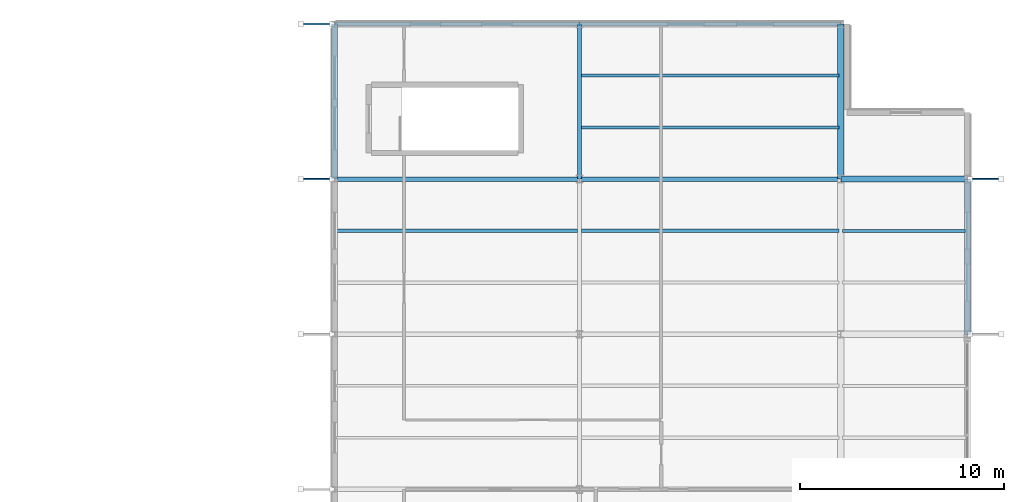
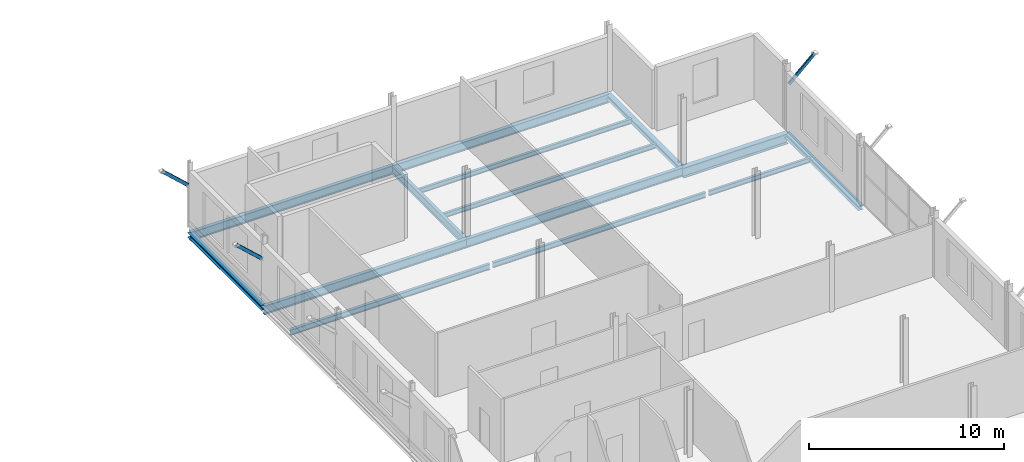
# One storey, part 16 of 25: 14 beams, 3 members.
"""IFC4 building model written with IfcOpenShell, lengths in metres."""

from ifc_helpers import new_model, si_unit, direction, frame, origin, origin_2d, place, context, subcontext, project, spatial, hollow_rectangle, i_section, extrude, material, material_profile, profile_set, type_object, element, save


model = new_model("IFC4")

# Units and contexts
model_context = context("Model", 3, precision=1e-05, world=origin(), true_north=direction((0.0, 1.0)))
body_context = subcontext(model_context, "Body", "Model", "MODEL_VIEW")
ifc_project = project(units=[si_unit("LENGTHUNIT", "METRE"), si_unit("AREAUNIT", "SQUARE_METRE"), si_unit("VOLUMEUNIT", "CUBIC_METRE"), si_unit("PLANEANGLEUNIT", "RADIAN"), si_unit("MASSUNIT", "GRAM", prefix="KILO")], contexts=[model_context])

# Site, building, storey
site_placement = place(None, origin())
site = spatial("IfcSite", under=ifc_project, at=site_placement, CompositionType="ELEMENT")
building_placement = place(site_placement, origin())
building = spatial("IfcBuilding", under=site, at=building_placement, Name="Vekula Escarpment Museum", CompositionType="ELEMENT")
storey_placement = place(building_placement, frame((0.0, 0.0, 26.39990234375)))
storey = spatial("IfcBuildingStorey", under=building, at=storey_placement, Name="L06", CompositionType="ELEMENT", Elevation=26.39990234375)

# Beams
ifc_material_1 = material(Name="Steel S355", Category="steel")
ifc_material_profile_1 = material_profile(ifc_material_1, i_section(OverallWidth=0.300048828125, OverallDepth=0.64990234375, WebThickness=0.01611328125, FlangeThickness=0.031005859375, FilletRadius=0.027099609375, at=origin_2d()), Name="HEB 650")
ifc_profile_set_1 = profile_set([ifc_material_profile_1], Name="Steel S355")
beam_type_1 = type_object("IfcBeamType", Name="BM-GIRD-HEB650", PredefinedType="BEAM", material=ifc_profile_set_1)
beam_1_placement = place(storey_placement, frame((191.800048828125, 113.199951171875, -0.544921875), z_axis=(1.0, 0.0, 0.0), x_axis=(0.0, 1.0, 0.0)))
element("IfcBeam", 1, at=beam_1_placement, inside=storey, type_object=beam_type_1, Name="Beam X L06 2241", PredefinedType="BEAM", context=body_context, shape_type="SweptSolid", body=[
    extrude(i_section(OverallWidth=0.300048828125, OverallDepth=0.64990234375, WebThickness=0.01611328125, FlangeThickness=0.031005859375, FilletRadius=0.027099609375, at=origin_2d()), origin(), (0.0, 0.0, 1.0), 6.199951171875),
])
ifc_material_2 = material(Name="Steel S355", Category="steel")
ifc_material_profile_2 = material_profile(ifc_material_2, i_section(OverallWidth=0.199951171875, OverallDepth=0.5, WebThickness=0.01025390625, FlangeThickness=0.01611328125, FilletRadius=0.02099609375, at=origin_2d()), Name="IPE 500")
ifc_profile_set_2 = profile_set([ifc_material_profile_2], Name="Steel S355")
beam_type_2 = type_object("IfcBeamType", Name="BM-GIRD-IPE500", PredefinedType="BEAM", material=ifc_profile_set_2)
beam_2_placement = place(storey_placement, frame((179.0, 113.199951171875, -0.469970703125), z_axis=(0.0, 1.0, 0.0), x_axis=(-1.0, 0.0, 0.0)))
element("IfcBeam", 2, at=beam_2_placement, inside=storey, type_object=beam_type_2, Name="Beam Y L06 2284", PredefinedType="BEAM", context=body_context, shape_type="SweptSolid", body=[
    extrude(i_section(OverallWidth=0.199951171875, OverallDepth=0.5, WebThickness=0.01025390625, FlangeThickness=0.01611328125, FilletRadius=0.02099609375, at=origin_2d()), origin(), (0.0, 0.0, 1.0), 7.60009765625),
])
ifc_material_3 = material(Name="Steel S355", Category="steel")
ifc_material_profile_3 = material_profile(ifc_material_3, i_section(OverallWidth=0.2099609375, OverallDepth=0.550048828125, WebThickness=0.010986328125, FlangeThickness=0.01708984375, FilletRadius=0.02392578125, at=origin_2d()), Name="IPE 550")
ifc_profile_set_3 = profile_set([ifc_material_profile_3], Name="Steel S355")
beam_type_3 = type_object("IfcBeamType", Name="BM-GIRD-IPE550", PredefinedType="BEAM", material=ifc_profile_set_3)
beam_3_placement = place(storey_placement, frame((167.0, 113.199951171875, -0.494873046875), z_axis=(1.0, 0.0, 0.0), x_axis=(0.0, 1.0, 0.0)))
element("IfcBeam", 3, at=beam_3_placement, inside=storey, type_object=beam_type_3, Name="Beam X L06 2239", PredefinedType="BEAM", context=body_context, shape_type="SweptSolid", body=[
    extrude(i_section(OverallWidth=0.2099609375, OverallDepth=0.550048828125, WebThickness=0.010986328125, FlangeThickness=0.01708984375, FilletRadius=0.02392578125, at=origin_2d()), origin(), (0.0, 0.0, 1.0), 12.0),
])
beam_4_placement = place(storey_placement, frame((179.0, 113.199951171875, -0.494873046875), z_axis=(1.0, 0.0, 0.0), x_axis=(0.0, 1.0, 0.0)))
element("IfcBeam", 4, at=beam_4_placement, inside=storey, type_object=beam_type_3, Name="Beam X L06 2240", PredefinedType="BEAM", context=body_context, shape_type="SweptSolid", body=[
    extrude(i_section(OverallWidth=0.2099609375, OverallDepth=0.550048828125, WebThickness=0.010986328125, FlangeThickness=0.01708984375, FilletRadius=0.02392578125, at=origin_2d()), origin(), (0.0, 0.0, 1.0), 12.800048828125),
])
beam_5_placement = place(storey_placement, frame((167.0, 120.800048828125, -0.494873046875), z_axis=(1.0, 0.0, 0.0), x_axis=(0.0, 1.0, 0.0)))
element("IfcBeam", 5, at=beam_5_placement, inside=storey, type_object=beam_type_3, Name="Beam X L06 2242", PredefinedType="BEAM", context=body_context, shape_type="SweptSolid", body=[
    extrude(i_section(OverallWidth=0.2099609375, OverallDepth=0.550048828125, WebThickness=0.010986328125, FlangeThickness=0.01708984375, FilletRadius=0.02392578125, at=origin_2d()), origin(), (0.0, 0.0, 1.0), 12.0),
])
beam_6_placement = place(storey_placement, frame((179.0, 120.800048828125, -0.494873046875), z_axis=(1.0, 0.0, 0.0), x_axis=(0.0, 1.0, 0.0)))
element("IfcBeam", 6, at=beam_6_placement, inside=storey, type_object=beam_type_3, Name="Beam X L06 2243", PredefinedType="BEAM", context=body_context, shape_type="SweptSolid", body=[
    extrude(i_section(OverallWidth=0.2099609375, OverallDepth=0.550048828125, WebThickness=0.010986328125, FlangeThickness=0.01708984375, FilletRadius=0.02392578125, at=origin_2d()), origin(), (0.0, 0.0, 1.0), 12.800048828125),
])
ifc_material_4 = material(Name="Steel S355", Category="steel")
ifc_material_profile_4 = material_profile(ifc_material_4, i_section(OverallWidth=0.14990234375, OverallDepth=0.300048828125, WebThickness=0.007080078125, FlangeThickness=0.0107421875, FilletRadius=0.014892578125, at=origin_2d()), Name="IPE 300")
ifc_profile_set_4 = profile_set([ifc_material_profile_4], Name="Steel S355")
beam_type_4 = type_object("IfcBeamType", Name="BM-JST-IPE300", PredefinedType="JOIST", material=ifc_profile_set_4)
for number, where, z_axis, x_axis, name in (
    (7, (179.090087890625, 115.7333984375, -0.369873046875), (1.0, 0.0, 0.0), (0.0, 1.0, 0.0), "Secondary Joist L06 1476"),
    (8, (179.090087890625, 118.2666015625, -0.369873046875), (1.0, 0.0, 0.0), (0.0, 1.0, 0.0), "Secondary Joist L06 1477"),
):
    element("IfcBeam", number, at=place(storey_placement, frame(where, z_axis=z_axis, x_axis=x_axis)), inside=storey, type_object=beam_type_4, Name=name, PredefinedType="JOIST", context=body_context, shape_type="SweptSolid", body=[
        extrude(i_section(OverallWidth=0.14990234375, OverallDepth=0.300048828125, WebThickness=0.007080078125, FlangeThickness=0.0107421875, FilletRadius=0.014892578125, at=origin_2d()), origin(), (0.0, 0.0, 1.0), 12.619873046875),
    ])
beam_7_placement = place(storey_placement, frame((191.889892578125, 110.666748046875, -0.369873046875), z_axis=(1.0, 0.0, 0.0), x_axis=(0.0, 1.0, 0.0)))
element("IfcBeam", 9, at=beam_7_placement, inside=storey, type_object=beam_type_4, Name="Secondary Joist L06 1489", PredefinedType="JOIST", context=body_context, shape_type="SweptSolid", body=[
    extrude(i_section(OverallWidth=0.14990234375, OverallDepth=0.300048828125, WebThickness=0.007080078125, FlangeThickness=0.0107421875, FilletRadius=0.014892578125, at=origin_2d()), origin(), (0.0, 0.0, 1.0), 6.02001953125),
])
ifc_material_5 = material(Name="Steel S355", Category="steel")
ifc_material_profile_5 = material_profile(ifc_material_5, i_section(OverallWidth=0.159912109375, OverallDepth=0.330078125, WebThickness=0.007568359375, FlangeThickness=0.011474609375, FilletRadius=0.01806640625, at=origin_2d()), Name="IPE 330")
ifc_profile_set_5 = profile_set([ifc_material_profile_5], Name="Steel S355")
beam_type_5 = type_object("IfcBeamType", Name="BM-JST-IPE330", PredefinedType="JOIST", material=ifc_profile_set_5)
beam_8_placement = place(storey_placement, frame((179.090087890625, 110.666748046875, -0.385009765625), z_axis=(1.0, 0.0, 0.0), x_axis=(0.0, 1.0, 0.0)))
element("IfcBeam", 10, at=beam_8_placement, inside=storey, type_object=beam_type_5, Name="Secondary Joist L06 1475", PredefinedType="JOIST", context=body_context, shape_type="SweptSolid", body=[
    extrude(i_section(OverallWidth=0.159912109375, OverallDepth=0.330078125, WebThickness=0.007568359375, FlangeThickness=0.011474609375, FilletRadius=0.01806640625, at=origin_2d()), origin(), (0.0, 0.0, 1.0), 12.619873046875),
])
ifc_material_6 = material(Name="Steel S355", Category="steel")
ifc_material_profile_6 = material_profile(ifc_material_6, i_section(OverallWidth=0.169921875, OverallDepth=0.360107421875, WebThickness=0.008056640625, FlangeThickness=0.0126953125, FilletRadius=0.01806640625, at=origin_2d()), Name="IPE 360")
ifc_profile_set_6 = profile_set([ifc_material_profile_6], Name="Steel S355")
beam_type_6 = type_object("IfcBeamType", Name="BM-JST-IPE360", PredefinedType="JOIST", material=ifc_profile_set_6)
beam_9_placement = place(storey_placement, frame((167.090087890625, 110.666748046875, -0.39990234375), z_axis=(1.0, 0.0, 0.0), x_axis=(0.0, 1.0, 0.0)))
element("IfcBeam", 11, at=beam_9_placement, inside=storey, type_object=beam_type_6, Name="Secondary Joist L06 1462", PredefinedType="JOIST", context=body_context, shape_type="SweptSolid", body=[
    extrude(i_section(OverallWidth=0.169921875, OverallDepth=0.360107421875, WebThickness=0.008056640625, FlangeThickness=0.0126953125, FilletRadius=0.01806640625, at=origin_2d()), origin(), (0.0, 0.0, 1.0), 11.81982421875),
])
ifc_material_7 = material(Name="Steel S355", Category="steel")
ifc_material_profile_7 = material_profile(ifc_material_7, i_section(OverallWidth=0.300048828125, OverallDepth=0.2900390625, WebThickness=0.008544921875, FlangeThickness=0.013916015625, FilletRadius=0.027099609375, at=origin_2d()), Name="HEA 300")
ifc_profile_set_7 = profile_set([ifc_material_profile_7], Name="Steel S355")
beam_type_7 = type_object("IfcBeamType", Name="BM-SPAN-HEA300", PredefinedType="SPANDREL", material=ifc_profile_set_7)
for number, where, z_axis, x_axis, name in (
    (12, (167.0, 113.199951171875, -0.364990234375), (0.0, 1.0, 0.0), (-1.0, 0.0, 0.0), "Beam Y L06 2275"),
    (13, (191.800048828125, 113.199951171875, -0.364990234375), (0.0, 1.0, 0.0), (-1.0, 0.0, 0.0), "Beam Y L06 2293"),
):
    element("IfcBeam", number, at=place(storey_placement, frame(where, z_axis=z_axis, x_axis=x_axis)), inside=storey, type_object=beam_type_7, Name=name, PredefinedType="SPANDREL", context=body_context, shape_type="SweptSolid", body=[
        extrude(i_section(OverallWidth=0.300048828125, OverallDepth=0.2900390625, WebThickness=0.008544921875, FlangeThickness=0.013916015625, FilletRadius=0.027099609375, at=origin_2d()), origin(), (0.0, 0.0, 1.0), 7.60009765625),
    ])
beam_10_placement = place(storey_placement, frame((198.0, 105.60009765625, -0.364990234375), z_axis=(0.0, 1.0, 0.0), x_axis=(-1.0, 0.0, 0.0)))
element("IfcBeam", 14, at=beam_10_placement, inside=storey, type_object=beam_type_7, Name="Beam Y L06 2300", PredefinedType="SPANDREL", context=body_context, shape_type="SweptSolid", body=[
    extrude(i_section(OverallWidth=0.300048828125, OverallDepth=0.2900390625, WebThickness=0.008544921875, FlangeThickness=0.013916015625, FilletRadius=0.027099609375, at=origin_2d()), origin(), (0.0, 0.0, 1.0), 7.599853515625),
])

# Members
ifc_material_8 = material(Name="Steel S355", Category="steel")
ifc_material_profile_8 = material_profile(ifc_material_8, hollow_rectangle(XDim=0.10009765625, YDim=0.199951171875, WallThickness=0.008056640625, InnerFilletRadius=0.008056640625, OuterFilletRadius=0.01611328125, at=origin_2d()), Name="RHS 200x100x8")
ifc_profile_set_8 = profile_set([ifc_material_profile_8], Name="Steel S355")
member_type = type_object("IfcMemberType", Name="MB-SACAK-BRK", PredefinedType="STRUT", material=ifc_profile_set_8)
for number, where, z_axis, x_axis, name in (
    (15, (166.8798828125, 113.199951171875, 2.75), (-0.737671918574, 0.0, 0.675159344561), (0.0, -1.0, 0.0), "Cumba Sacak Eave Bracket 0164"),
    (16, (198.1201171875, 113.199951171875, 2.75), (0.737671918574, 0.0, 0.675159344561), (0.0, 1.0, 0.0), "Cumba Sacak Eave Bracket 0165"),
    (17, (166.8798828125, 120.800048828125, 2.75), (-0.737671918574, 0.0, 0.675159344561), (0.0, -1.0, 0.0), "Cumba Sacak Eave Bracket 0166"),
):
    element("IfcMember", number, at=place(storey_placement, frame(where, z_axis=z_axis, x_axis=x_axis)), inside=storey, type_object=member_type, Name=name, PredefinedType="STRUT", context=body_context, shape_type="SweptSolid", body=[
        extrude(hollow_rectangle(XDim=0.10009765625, YDim=0.199951171875, WallThickness=0.008056640625, InnerFilletRadius=0.008056640625, OuterFilletRadius=0.01611328125, at=origin_2d()), origin(), (0.0, 0.0, 1.0), 2.07373046875),
    ])

save(model, "model.ifc")
